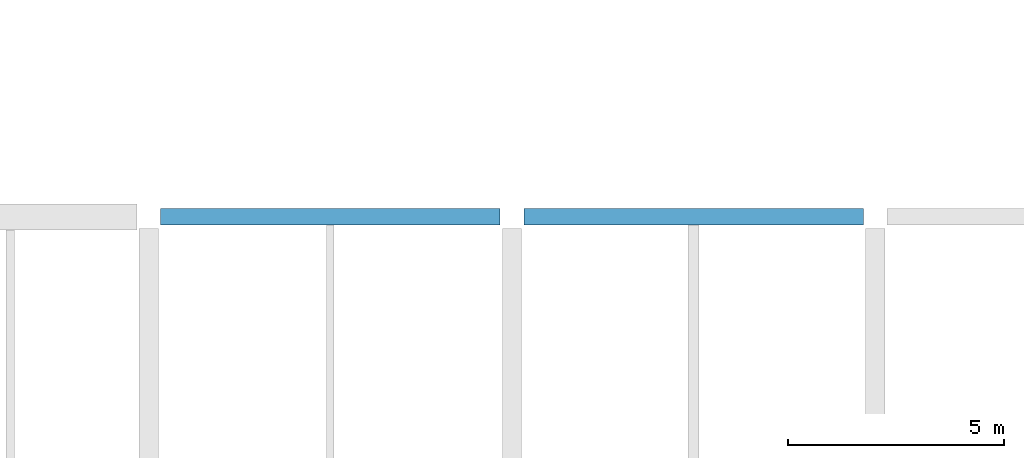
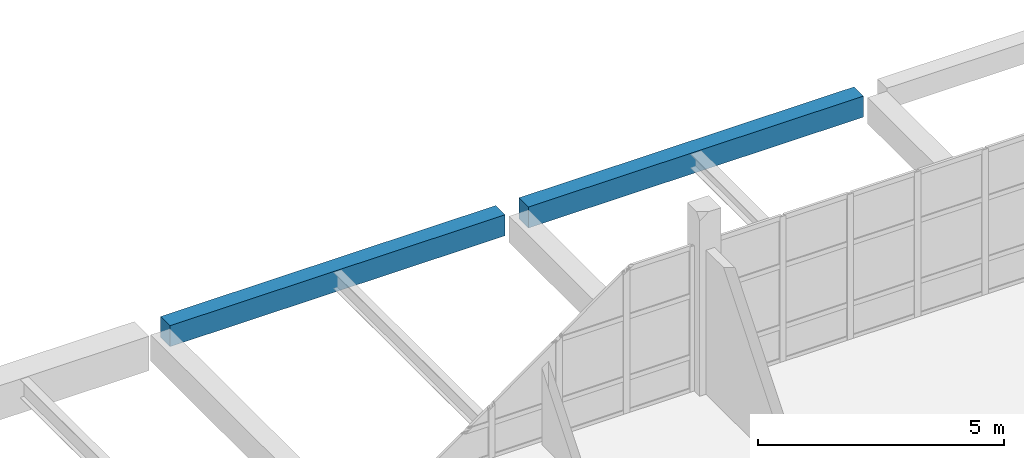
# One storey, part 33 of 53: 2 beams.
"""IFC4 building model written with IfcOpenShell, lengths in metres."""

from ifc_helpers import new_model, si_unit, direction, frame, origin, origin_2d, place, context, subcontext, project, spatial, rectangle, extrude, material, material_profile, profile_set, type_object, element, save


model = new_model("IFC4")

# Units and contexts
model_context = context("Model", 3, precision=1e-05, world=origin(), true_north=direction((0.0, 1.0)))
body_context = subcontext(model_context, "Body", "Model", "MODEL_VIEW")
ifc_project = project(units=[si_unit("LENGTHUNIT", "METRE"), si_unit("AREAUNIT", "SQUARE_METRE"), si_unit("VOLUMEUNIT", "CUBIC_METRE"), si_unit("PLANEANGLEUNIT", "RADIAN"), si_unit("MASSUNIT", "GRAM", prefix="KILO")], contexts=[model_context])

# Site, building, storey
site_placement = place(None, origin())
site = spatial("IfcSite", under=ifc_project, at=site_placement, CompositionType="ELEMENT")
building_placement = place(site_placement, origin())
building = spatial("IfcBuilding", under=site, at=building_placement, Name="Pellamere Symphony Hall", CompositionType="ELEMENT")
storey_placement = place(building_placement, frame((0.0, 0.0, 24.0)))
storey = spatial("IfcBuildingStorey", under=building, at=storey_placement, Name="L05", CompositionType="ELEMENT", Elevation=24.0)

# Beams
ifc_material = material(Name="Concrete 40 MPa", Category="concrete")
ifc_material_profile = material_profile(ifc_material, rectangle(XDim=0.3798828125, YDim=0.52001953125, at=origin_2d()), Name="RC 380x520")
ifc_profile_set = profile_set([ifc_material_profile], Name="Concrete 40 MPa")
beam_type = type_object("IfcBeamType", Name="RC CB-21 380x520", PredefinedType="BEAM", material=ifc_profile_set)
for number, where, z_axis, x_axis, name in (
    (1, (147.875, 85.199951171875, -0.52001953125), (1.0, 0.0, 0.0), (0.0, 1.0, 0.0), "Girder CB-21-X2058 (L05)"),
    (2, (156.27490234375, 85.199951171875, -0.52001953125), (1.0, 0.0, 0.0), (0.0, 1.0, 0.0), "Girder CB-21-X2059 (L05)"),
):
    element("IfcBeam", number, at=place(storey_placement, frame(where, z_axis=z_axis, x_axis=x_axis)), inside=storey, type_object=beam_type, Name=name, PredefinedType="BEAM", context=body_context, shape_type="SweptSolid", body=[
        extrude(rectangle(XDim=0.3798828125, YDim=0.52001953125, at=origin_2d()), origin(), (0.0, 0.0, 1.0), 7.85009765625),
    ])

save(model, "model.ifc")
